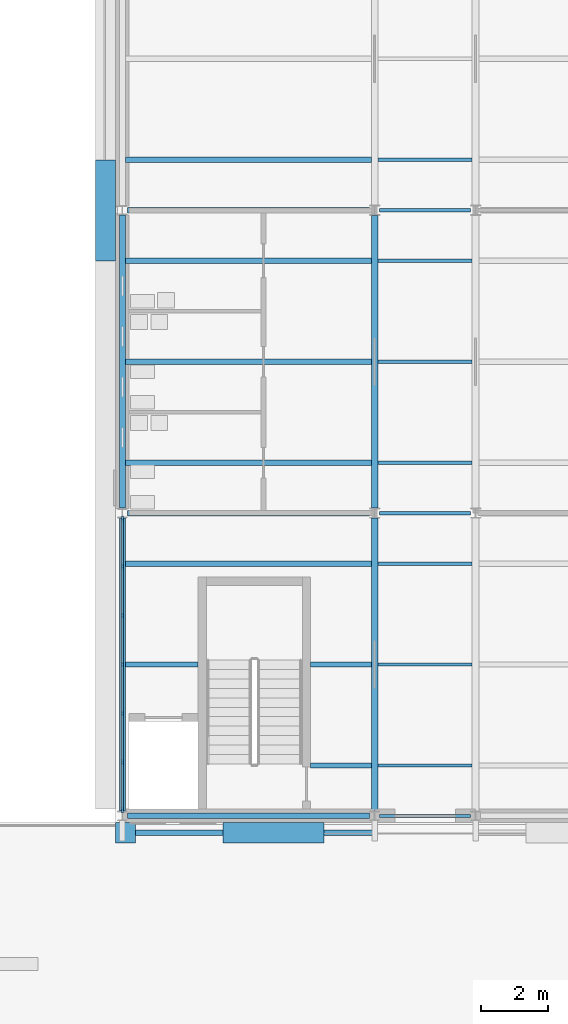
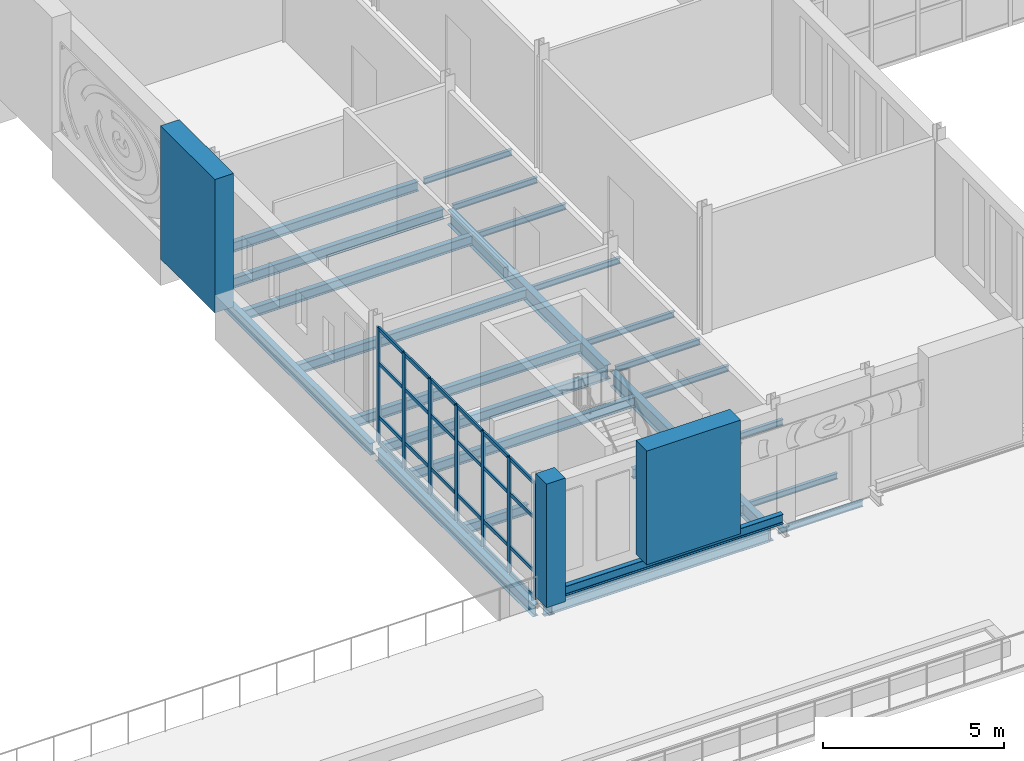
# One storey, part 22 of 134: 34 members, 26 beams, 1 element without a shape of its own.
"""IFC4 building model written with IfcOpenShell, lengths in metres."""

from ifc_helpers import new_model, si_unit, direction, frame, origin, origin_2d, place, context, subcontext, project, spatial, rectangle, i_section, extrude, material, layer, layer_set, material_profile, profile_set, type_object, element, aggregate, save


model = new_model("IFC4")

# Units and contexts
model_context = context("Model", 3, precision=1e-05, world=origin(), true_north=direction((0.0, 1.0)))
body_context = subcontext(model_context, "Body", "Model", "MODEL_VIEW")
ifc_project = project(units=[si_unit("LENGTHUNIT", "METRE"), si_unit("AREAUNIT", "SQUARE_METRE"), si_unit("VOLUMEUNIT", "CUBIC_METRE"), si_unit("PLANEANGLEUNIT", "RADIAN"), si_unit("MASSUNIT", "GRAM", prefix="KILO")], contexts=[model_context])

# Site, building, storey
site_placement = place(None, origin())
site = spatial("IfcSite", under=ifc_project, at=site_placement, CompositionType="ELEMENT")
building_placement = place(site_placement, origin())
building = spatial("IfcBuilding", under=site, at=building_placement, Name="Golden Quay Civic Hall", CompositionType="ELEMENT")
storey_placement = place(building_placement, frame((0.0, 0.0, 5.39990234375)))
storey = spatial("IfcBuildingStorey", under=building, at=storey_placement, Name="L01", CompositionType="ELEMENT", Elevation=5.39990234375)

# Curtain wall, members
ifc_material_1 = material(Name="Glass, laminated double glazed", Category="glass")
ifc_layer = layer(ifc_material_1, 0.199951171875)
ifc_layer_set = layer_set([ifc_layer], Name="Glazed core strip curtain wall")
curtain_wall_type = type_object("IfcCurtainWallType", Name="Glazed core strip curtain wall", PredefinedType="NOTDEFINED", material=ifc_layer_set)
curtain_wall_placement = place(storey_placement, origin())
curtain_wall = element("IfcCurtainWall", 1, at=curtain_wall_placement, inside=storey, type_object=curtain_wall_type, Name="Glazed core strip curtain wall L01 3", PredefinedType="NOTDEFINED")
ifc_material_2 = material(Name="Aluminium, anodised", Category="aluminium")
ifc_material_profile_1 = material_profile(ifc_material_2, rectangle(XDim=0.06005859375, YDim=0.159912109375, at=origin_2d()), Name="Aluminium 60 x 160")
ifc_profile_set_1 = profile_set([ifc_material_profile_1], Name="Aluminium, anodised")
member_type_1 = type_object("IfcMemberType", Name="Aluminium mullion 60 x 160", PredefinedType="MULLION", material=ifc_profile_set_1)
member_1_placement = place(storey_placement, frame((54.0, 0.1650390625, 0.0), z_axis=(0.0, 0.0, 1.0), x_axis=(-1.0, 0.0, 0.0)))
member_1 = element("IfcMember", 2, at=member_1_placement, type_object=member_type_1, Name="CW2 mullion 1", PredefinedType="MULLION", context=body_context, shape_type="SweptSolid", body=[
    extrude(rectangle(XDim=0.06005859375, YDim=0.159912109375, at=origin_2d()), origin(), (0.0, 0.0, 1.0), 3.900146484375),
])
member_2_placement = place(storey_placement, frame((54.0, 1.590087890625, 0.0), z_axis=(0.0, 0.0, 1.0), x_axis=(-1.0, 0.0, 0.0)))
member_2 = element("IfcMember", 3, at=member_2_placement, type_object=member_type_1, Name="CW2 mullion 2", PredefinedType="MULLION", context=body_context, shape_type="SweptSolid", body=[
    extrude(rectangle(XDim=0.06005859375, YDim=0.159912109375, at=origin_2d()), origin(), (0.0, 0.0, 1.0), 3.900146484375),
])
member_3_placement = place(storey_placement, frame((54.0, 3.044921875, 0.0), z_axis=(0.0, 0.0, 1.0), x_axis=(-1.0, 0.0, 0.0)))
member_3 = element("IfcMember", 4, at=member_3_placement, type_object=member_type_1, Name="CW2 mullion 3", PredefinedType="MULLION", context=body_context, shape_type="SweptSolid", body=[
    extrude(rectangle(XDim=0.06005859375, YDim=0.159912109375, at=origin_2d()), origin(), (0.0, 0.0, 1.0), 3.900146484375),
])
member_4_placement = place(storey_placement, frame((54.0, 4.5, 0.0), z_axis=(0.0, 0.0, 1.0), x_axis=(-1.0, 0.0, 0.0)))
member_4 = element("IfcMember", 5, at=member_4_placement, type_object=member_type_1, Name="CW2 mullion 4", PredefinedType="MULLION", context=body_context, shape_type="SweptSolid", body=[
    extrude(rectangle(XDim=0.06005859375, YDim=0.159912109375, at=origin_2d()), origin(), (0.0, 0.0, 1.0), 3.900146484375),
])
member_5_placement = place(storey_placement, frame((54.0, 5.955078125, 0.0), z_axis=(0.0, 0.0, 1.0), x_axis=(-1.0, 0.0, 0.0)))
member_5 = element("IfcMember", 6, at=member_5_placement, type_object=member_type_1, Name="CW2 mullion 5", PredefinedType="MULLION", context=body_context, shape_type="SweptSolid", body=[
    extrude(rectangle(XDim=0.06005859375, YDim=0.159912109375, at=origin_2d()), origin(), (0.0, 0.0, 1.0), 3.900146484375),
])
member_6_placement = place(storey_placement, frame((54.0, 7.409912109375, 0.0), z_axis=(0.0, 0.0, 1.0), x_axis=(-1.0, 0.0, 0.0)))
member_6 = element("IfcMember", 7, at=member_6_placement, type_object=member_type_1, Name="CW2 mullion 6", PredefinedType="MULLION", context=body_context, shape_type="SweptSolid", body=[
    extrude(rectangle(XDim=0.06005859375, YDim=0.159912109375, at=origin_2d()), origin(), (0.0, 0.0, 1.0), 3.900146484375),
])
member_7_placement = place(storey_placement, frame((54.0, 8.8349609375, 0.0), z_axis=(0.0, 0.0, 1.0), x_axis=(-1.0, 0.0, 0.0)))
member_7 = element("IfcMember", 8, at=member_7_placement, type_object=member_type_1, Name="CW2 mullion 7", PredefinedType="MULLION", context=body_context, shape_type="SweptSolid", body=[
    extrude(rectangle(XDim=0.06005859375, YDim=0.159912109375, at=origin_2d()), origin(), (0.0, 0.0, 1.0), 3.900146484375),
])
ifc_material_3 = material(Name="Aluminium, anodised", Category="aluminium")
ifc_material_profile_2 = material_profile(ifc_material_3, rectangle(XDim=0.06005859375, YDim=0.1201171875, at=origin_2d()), Name="Aluminium 60 x 120")
ifc_profile_set_2 = profile_set([ifc_material_profile_2], Name="Aluminium, anodised")
member_type_2 = type_object("IfcMemberType", Name="Aluminium transom 60 x 120", PredefinedType="USERDEFINED", material=ifc_profile_set_2)
member_8_placement = place(storey_placement, frame((54.0, 0.195068359375, 0.030029296875), z_axis=(0.0, 1.0, 0.0), x_axis=(-1.0, 0.0, 0.0)))
member_8 = element("IfcMember", 9, at=member_8_placement, type_object=member_type_2, Name="CW2 transom 1.1", ObjectType="TRANSOM", PredefinedType="USERDEFINED", context=body_context, shape_type="SweptSolid", body=[
    extrude(rectangle(XDim=0.06005859375, YDim=0.1201171875, at=origin_2d()), origin(), (0.0, 0.0, 1.0), 1.364990234375),
])
member_9_placement = place(storey_placement, frame((54.0, 0.195068359375, 0.900146484375), z_axis=(0.0, 1.0, 0.0), x_axis=(-1.0, 0.0, 0.0)))
member_9 = element("IfcMember", 10, at=member_9_placement, type_object=member_type_2, Name="CW2 transom 1.2", ObjectType="TRANSOM", PredefinedType="USERDEFINED", context=body_context, shape_type="SweptSolid", body=[
    extrude(rectangle(XDim=0.06005859375, YDim=0.1201171875, at=origin_2d()), origin(), (0.0, 0.0, 1.0), 1.364990234375),
])
member_10_placement = place(storey_placement, frame((54.0, 0.195068359375, 2.7001953125), z_axis=(0.0, 1.0, 0.0), x_axis=(-1.0, 0.0, 0.0)))
member_10 = element("IfcMember", 11, at=member_10_placement, type_object=member_type_2, Name="CW2 transom 1.3", ObjectType="TRANSOM", PredefinedType="USERDEFINED", context=body_context, shape_type="SweptSolid", body=[
    extrude(rectangle(XDim=0.06005859375, YDim=0.1201171875, at=origin_2d()), origin(), (0.0, 0.0, 1.0), 1.364990234375),
])
member_11_placement = place(storey_placement, frame((54.0, 0.195068359375, 3.8701171875), z_axis=(0.0, 1.0, 0.0), x_axis=(-1.0, 0.0, 0.0)))
member_11 = element("IfcMember", 12, at=member_11_placement, type_object=member_type_2, Name="CW2 transom 1.4", ObjectType="TRANSOM", PredefinedType="USERDEFINED", context=body_context, shape_type="SweptSolid", body=[
    extrude(rectangle(XDim=0.06005859375, YDim=0.1201171875, at=origin_2d()), origin(), (0.0, 0.0, 1.0), 1.364990234375),
])
member_12_placement = place(storey_placement, frame((54.0, 1.6201171875, 0.030029296875), z_axis=(0.0, 1.0, 0.0), x_axis=(-1.0, 0.0, 0.0)))
member_12 = element("IfcMember", 13, at=member_12_placement, type_object=member_type_2, Name="CW2 transom 2.1", ObjectType="TRANSOM", PredefinedType="USERDEFINED", context=body_context, shape_type="SweptSolid", body=[
    extrude(rectangle(XDim=0.06005859375, YDim=0.1201171875, at=origin_2d()), origin(), (0.0, 0.0, 1.0), 1.394775390625),
])
member_13_placement = place(storey_placement, frame((54.0, 1.6201171875, 0.900146484375), z_axis=(0.0, 1.0, 0.0), x_axis=(-1.0, 0.0, 0.0)))
member_13 = element("IfcMember", 14, at=member_13_placement, type_object=member_type_2, Name="CW2 transom 2.2", ObjectType="TRANSOM", PredefinedType="USERDEFINED", context=body_context, shape_type="SweptSolid", body=[
    extrude(rectangle(XDim=0.06005859375, YDim=0.1201171875, at=origin_2d()), origin(), (0.0, 0.0, 1.0), 1.394775390625),
])
member_14_placement = place(storey_placement, frame((54.0, 1.6201171875, 2.7001953125), z_axis=(0.0, 1.0, 0.0), x_axis=(-1.0, 0.0, 0.0)))
member_14 = element("IfcMember", 15, at=member_14_placement, type_object=member_type_2, Name="CW2 transom 2.3", ObjectType="TRANSOM", PredefinedType="USERDEFINED", context=body_context, shape_type="SweptSolid", body=[
    extrude(rectangle(XDim=0.06005859375, YDim=0.1201171875, at=origin_2d()), origin(), (0.0, 0.0, 1.0), 1.394775390625),
])
member_15_placement = place(storey_placement, frame((54.0, 1.6201171875, 3.8701171875), z_axis=(0.0, 1.0, 0.0), x_axis=(-1.0, 0.0, 0.0)))
member_15 = element("IfcMember", 16, at=member_15_placement, type_object=member_type_2, Name="CW2 transom 2.4", ObjectType="TRANSOM", PredefinedType="USERDEFINED", context=body_context, shape_type="SweptSolid", body=[
    extrude(rectangle(XDim=0.06005859375, YDim=0.1201171875, at=origin_2d()), origin(), (0.0, 0.0, 1.0), 1.394775390625),
])
member_16_placement = place(storey_placement, frame((54.0, 3.074951171875, 0.030029296875), z_axis=(0.0, 1.0, 0.0), x_axis=(-1.0, 0.0, 0.0)))
member_16 = element("IfcMember", 17, at=member_16_placement, type_object=member_type_2, Name="CW2 transom 3.1", ObjectType="TRANSOM", PredefinedType="USERDEFINED", context=body_context, shape_type="SweptSolid", body=[
    extrude(rectangle(XDim=0.06005859375, YDim=0.1201171875, at=origin_2d()), origin(), (0.0, 0.0, 1.0), 1.39501953125),
])
member_17_placement = place(storey_placement, frame((54.0, 3.074951171875, 0.900146484375), z_axis=(0.0, 1.0, 0.0), x_axis=(-1.0, 0.0, 0.0)))
member_17 = element("IfcMember", 18, at=member_17_placement, type_object=member_type_2, Name="CW2 transom 3.2", ObjectType="TRANSOM", PredefinedType="USERDEFINED", context=body_context, shape_type="SweptSolid", body=[
    extrude(rectangle(XDim=0.06005859375, YDim=0.1201171875, at=origin_2d()), origin(), (0.0, 0.0, 1.0), 1.39501953125),
])
member_18_placement = place(storey_placement, frame((54.0, 3.074951171875, 2.7001953125), z_axis=(0.0, 1.0, 0.0), x_axis=(-1.0, 0.0, 0.0)))
member_18 = element("IfcMember", 19, at=member_18_placement, type_object=member_type_2, Name="CW2 transom 3.3", ObjectType="TRANSOM", PredefinedType="USERDEFINED", context=body_context, shape_type="SweptSolid", body=[
    extrude(rectangle(XDim=0.06005859375, YDim=0.1201171875, at=origin_2d()), origin(), (0.0, 0.0, 1.0), 1.39501953125),
])
member_19_placement = place(storey_placement, frame((54.0, 3.074951171875, 3.8701171875), z_axis=(0.0, 1.0, 0.0), x_axis=(-1.0, 0.0, 0.0)))
member_19 = element("IfcMember", 20, at=member_19_placement, type_object=member_type_2, Name="CW2 transom 3.4", ObjectType="TRANSOM", PredefinedType="USERDEFINED", context=body_context, shape_type="SweptSolid", body=[
    extrude(rectangle(XDim=0.06005859375, YDim=0.1201171875, at=origin_2d()), origin(), (0.0, 0.0, 1.0), 1.39501953125),
])
member_20_placement = place(storey_placement, frame((54.0, 4.530029296875, 0.030029296875), z_axis=(0.0, 1.0, 0.0), x_axis=(-1.0, 0.0, 0.0)))
member_20 = element("IfcMember", 21, at=member_20_placement, type_object=member_type_2, Name="CW2 transom 4.1", ObjectType="TRANSOM", PredefinedType="USERDEFINED", context=body_context, shape_type="SweptSolid", body=[
    extrude(rectangle(XDim=0.06005859375, YDim=0.1201171875, at=origin_2d()), origin(), (0.0, 0.0, 1.0), 1.39501953125),
])
member_21_placement = place(storey_placement, frame((54.0, 4.530029296875, 0.900146484375), z_axis=(0.0, 1.0, 0.0), x_axis=(-1.0, 0.0, 0.0)))
member_21 = element("IfcMember", 22, at=member_21_placement, type_object=member_type_2, Name="CW2 transom 4.2", ObjectType="TRANSOM", PredefinedType="USERDEFINED", context=body_context, shape_type="SweptSolid", body=[
    extrude(rectangle(XDim=0.06005859375, YDim=0.1201171875, at=origin_2d()), origin(), (0.0, 0.0, 1.0), 1.39501953125),
])
member_22_placement = place(storey_placement, frame((54.0, 4.530029296875, 2.7001953125), z_axis=(0.0, 1.0, 0.0), x_axis=(-1.0, 0.0, 0.0)))
member_22 = element("IfcMember", 23, at=member_22_placement, type_object=member_type_2, Name="CW2 transom 4.3", ObjectType="TRANSOM", PredefinedType="USERDEFINED", context=body_context, shape_type="SweptSolid", body=[
    extrude(rectangle(XDim=0.06005859375, YDim=0.1201171875, at=origin_2d()), origin(), (0.0, 0.0, 1.0), 1.39501953125),
])
member_23_placement = place(storey_placement, frame((54.0, 4.530029296875, 3.8701171875), z_axis=(0.0, 1.0, 0.0), x_axis=(-1.0, 0.0, 0.0)))
member_23 = element("IfcMember", 24, at=member_23_placement, type_object=member_type_2, Name="CW2 transom 4.4", ObjectType="TRANSOM", PredefinedType="USERDEFINED", context=body_context, shape_type="SweptSolid", body=[
    extrude(rectangle(XDim=0.06005859375, YDim=0.1201171875, at=origin_2d()), origin(), (0.0, 0.0, 1.0), 1.39501953125),
])
member_24_placement = place(storey_placement, frame((54.0, 5.985107421875, 0.030029296875), z_axis=(0.0, 1.0, 0.0), x_axis=(-1.0, 0.0, 0.0)))
member_24 = element("IfcMember", 25, at=member_24_placement, type_object=member_type_2, Name="CW2 transom 5.1", ObjectType="TRANSOM", PredefinedType="USERDEFINED", context=body_context, shape_type="SweptSolid", body=[
    extrude(rectangle(XDim=0.06005859375, YDim=0.1201171875, at=origin_2d()), origin(), (0.0, 0.0, 1.0), 1.394775390625),
])
member_25_placement = place(storey_placement, frame((54.0, 5.985107421875, 0.900146484375), z_axis=(0.0, 1.0, 0.0), x_axis=(-1.0, 0.0, 0.0)))
member_25 = element("IfcMember", 26, at=member_25_placement, type_object=member_type_2, Name="CW2 transom 5.2", ObjectType="TRANSOM", PredefinedType="USERDEFINED", context=body_context, shape_type="SweptSolid", body=[
    extrude(rectangle(XDim=0.06005859375, YDim=0.1201171875, at=origin_2d()), origin(), (0.0, 0.0, 1.0), 1.394775390625),
])
member_26_placement = place(storey_placement, frame((54.0, 5.985107421875, 2.7001953125), z_axis=(0.0, 1.0, 0.0), x_axis=(-1.0, 0.0, 0.0)))
member_26 = element("IfcMember", 27, at=member_26_placement, type_object=member_type_2, Name="CW2 transom 5.3", ObjectType="TRANSOM", PredefinedType="USERDEFINED", context=body_context, shape_type="SweptSolid", body=[
    extrude(rectangle(XDim=0.06005859375, YDim=0.1201171875, at=origin_2d()), origin(), (0.0, 0.0, 1.0), 1.394775390625),
])
member_27_placement = place(storey_placement, frame((54.0, 5.985107421875, 3.8701171875), z_axis=(0.0, 1.0, 0.0), x_axis=(-1.0, 0.0, 0.0)))
member_27 = element("IfcMember", 28, at=member_27_placement, type_object=member_type_2, Name="CW2 transom 5.4", ObjectType="TRANSOM", PredefinedType="USERDEFINED", context=body_context, shape_type="SweptSolid", body=[
    extrude(rectangle(XDim=0.06005859375, YDim=0.1201171875, at=origin_2d()), origin(), (0.0, 0.0, 1.0), 1.394775390625),
])
member_28_placement = place(storey_placement, frame((54.0, 7.43994140625, 0.030029296875), z_axis=(0.0, 1.0, 0.0), x_axis=(-1.0, 0.0, 0.0)))
member_28 = element("IfcMember", 29, at=member_28_placement, type_object=member_type_2, Name="CW2 transom 6.1", ObjectType="TRANSOM", PredefinedType="USERDEFINED", context=body_context, shape_type="SweptSolid", body=[
    extrude(rectangle(XDim=0.06005859375, YDim=0.1201171875, at=origin_2d()), origin(), (0.0, 0.0, 1.0), 1.364990234375),
])
member_29_placement = place(storey_placement, frame((54.0, 7.43994140625, 0.900146484375), z_axis=(0.0, 1.0, 0.0), x_axis=(-1.0, 0.0, 0.0)))
member_29 = element("IfcMember", 30, at=member_29_placement, type_object=member_type_2, Name="CW2 transom 6.2", ObjectType="TRANSOM", PredefinedType="USERDEFINED", context=body_context, shape_type="SweptSolid", body=[
    extrude(rectangle(XDim=0.06005859375, YDim=0.1201171875, at=origin_2d()), origin(), (0.0, 0.0, 1.0), 1.364990234375),
])
member_30_placement = place(storey_placement, frame((54.0, 7.43994140625, 2.7001953125), z_axis=(0.0, 1.0, 0.0), x_axis=(-1.0, 0.0, 0.0)))
member_30 = element("IfcMember", 31, at=member_30_placement, type_object=member_type_2, Name="CW2 transom 6.3", ObjectType="TRANSOM", PredefinedType="USERDEFINED", context=body_context, shape_type="SweptSolid", body=[
    extrude(rectangle(XDim=0.06005859375, YDim=0.1201171875, at=origin_2d()), origin(), (0.0, 0.0, 1.0), 1.364990234375),
])
member_31_placement = place(storey_placement, frame((54.0, 7.43994140625, 3.8701171875), z_axis=(0.0, 1.0, 0.0), x_axis=(-1.0, 0.0, 0.0)))
member_31 = element("IfcMember", 32, at=member_31_placement, type_object=member_type_2, Name="CW2 transom 6.4", ObjectType="TRANSOM", PredefinedType="USERDEFINED", context=body_context, shape_type="SweptSolid", body=[
    extrude(rectangle(XDim=0.06005859375, YDim=0.1201171875, at=origin_2d()), origin(), (0.0, 0.0, 1.0), 1.364990234375),
])
aggregate(curtain_wall, [member_1, member_2, member_3, member_4, member_5, member_6, member_7, member_8, member_9, member_10, member_11, member_12, member_13, member_14, member_15, member_16, member_17, member_18, member_19, member_20, member_21, member_22, member_23, member_24, member_25, member_26, member_27, member_28, member_29, member_30, member_31])

# Members
ifc_material_4 = material(Name="Concrete C40/50", Category="concrete")
ifc_material_profile_3 = material_profile(ifc_material_4, rectangle(XDim=3.0, YDim=0.60009765625, at=origin_2d()), Name="RC 3000x600")
ifc_profile_set_3 = profile_set([ifc_material_profile_3], Name="Concrete C40/50")
member_type_3 = type_object("IfcMemberType", Name="Precast concrete facade pier 3000 x 600", PredefinedType="POST", material=ifc_profile_set_3)
member_32_placement = place(storey_placement, frame((53.5, 18.0, 0.0), z_axis=(0.0, 0.0, 1.0), x_axis=(0.0, 1.0, 0.0)))
element("IfcMember", 33, at=member_32_placement, inside=storey, type_object=member_type_3, Name="Precast concrete facade pier 3000 x 600 L01 18", PredefinedType="POST", context=body_context, shape_type="SweptSolid", body=[
    extrude(rectangle(XDim=3.0, YDim=0.60009765625, at=origin_2d()), origin(), (0.0, 0.0, 1.0), 4.5),
])
member_33_placement = place(storey_placement, frame((58.5, -0.5, 0.66015625), z_axis=(0.0, 0.0, 1.0), x_axis=(1.0, 0.0, 0.0)))
element("IfcMember", 34, at=member_33_placement, inside=storey, type_object=member_type_3, Name="Precast concrete facade pier 3000 x 600 L01 24", PredefinedType="POST", context=body_context, shape_type="SweptSolid", body=[
    extrude(rectangle(XDim=3.0, YDim=0.60009765625, at=origin_2d()), origin(), (0.0, 0.0, 1.0), 3.83984375),
])
ifc_material_5 = material(Name="Concrete C40/50", Category="concrete")
ifc_material_profile_4 = material_profile(ifc_material_5, rectangle(XDim=0.60009765625, YDim=0.60009765625, at=origin_2d()), Name="RC 600x600")
ifc_profile_set_4 = profile_set([ifc_material_profile_4], Name="Concrete C40/50")
member_type_4 = type_object("IfcMemberType", Name="Precast concrete facade post 600 x 600", PredefinedType="POST", material=ifc_profile_set_4)
member_34_placement = place(storey_placement, frame((54.10009765625, -0.5, 0.330078125), z_axis=(0.0, 0.0, 1.0), x_axis=(1.0, 0.0, 0.0)))
element("IfcMember", 35, at=member_34_placement, inside=storey, type_object=member_type_4, Name="Precast concrete facade post 600 x 600 L01 9", PredefinedType="POST", context=body_context, shape_type="SweptSolid", body=[
    extrude(rectangle(XDim=0.60009765625, YDim=0.60009765625, at=origin_2d()), origin(), (0.0, 0.0, 1.0), 4.169921875),
])

# Beams
ifc_material_6 = material(Name="Steel S355", Category="steel")
ifc_material_profile_5 = material_profile(ifc_material_6, i_section(OverallWidth=0.10009765625, OverallDepth=0.199951171875, WebThickness=0.005615234375, FlangeThickness=0.008544921875, FilletRadius=0.011962890625, at=origin_2d()), Name="IPE 200")
ifc_profile_set_5 = profile_set([ifc_material_profile_5], Name="Steel S355")
beam_type_1 = type_object("IfcBeamType", Name="Steel beam IPE 200", PredefinedType="BEAM", material=ifc_profile_set_5)
for number, where, z_axis, x_axis, name in (
    (36, (61.64990234375, 0.0, -0.2998046875), (1.0, 0.0, 0.0), (0.0, 1.0, 0.0), "Beam S0-61.5"),
    (37, (61.64990234375, 9.0, -0.2998046875), (1.0, 0.0, 0.0), (0.0, 1.0, 0.0), "Beam S9-61.5"),
    (38, (61.64990234375, 18.0, -0.2998046875), (1.0, 0.0, 0.0), (0.0, 1.0, 0.0), "Beam S18-61.5"),
):
    element("IfcBeam", number, at=place(storey_placement, frame(where, z_axis=z_axis, x_axis=x_axis)), inside=storey, type_object=beam_type_1, Name=name, PredefinedType="BEAM", context=body_context, shape_type="SweptSolid", body=[
        extrude(i_section(OverallWidth=0.10009765625, OverallDepth=0.199951171875, WebThickness=0.005615234375, FlangeThickness=0.008544921875, FilletRadius=0.011962890625, at=origin_2d()), origin(), (0.0, 0.0, 1.0), 2.7001953125),
    ])
ifc_material_7 = material(Name="Steel S355", Category="steel")
ifc_material_profile_6 = material_profile(ifc_material_7, i_section(OverallWidth=0.159912109375, OverallDepth=0.330078125, WebThickness=0.007568359375, FlangeThickness=0.011474609375, FilletRadius=0.01806640625, at=origin_2d()), Name="IPE 330")
ifc_profile_set_6 = profile_set([ifc_material_profile_6], Name="Steel S355")
beam_type_2 = type_object("IfcBeamType", Name="Steel beam IPE 330", PredefinedType="BEAM", material=ifc_profile_set_6)
for number, where, z_axis, x_axis, name in (
    (39, (54.14990234375, 0.0, -0.364990234375), (1.0, 0.0, 0.0), (0.0, 1.0, 0.0), "Beam S0-54"),
    (40, (54.14990234375, 9.0, -0.364990234375), (1.0, 0.0, 0.0), (0.0, 1.0, 0.0), "Beam S9-54"),
    (41, (54.14990234375, 18.0, -0.364990234375), (1.0, 0.0, 0.0), (0.0, 1.0, 0.0), "Beam S18-54"),
):
    element("IfcBeam", number, at=place(storey_placement, frame(where, z_axis=z_axis, x_axis=x_axis)), inside=storey, type_object=beam_type_2, Name=name, PredefinedType="BEAM", context=body_context, shape_type="SweptSolid", body=[
        extrude(i_section(OverallWidth=0.159912109375, OverallDepth=0.330078125, WebThickness=0.007568359375, FlangeThickness=0.011474609375, FilletRadius=0.01806640625, at=origin_2d()), origin(), (0.0, 0.0, 1.0), 7.2001953125),
    ])
ifc_material_8 = material(Name="Steel S355", Category="steel")
ifc_material_profile_7 = material_profile(ifc_material_8, i_section(OverallWidth=0.179931640625, OverallDepth=0.39990234375, WebThickness=0.008544921875, FlangeThickness=0.013427734375, FilletRadius=0.02099609375, at=origin_2d()), Name="IPE 400")
ifc_profile_set_7 = profile_set([ifc_material_profile_7], Name="Steel S355")
beam_type_3 = type_object("IfcBeamType", Name="Steel beam IPE 400", PredefinedType="BEAM", material=ifc_profile_set_7)
for number, where, z_axis, x_axis, name in (
    (42, (54.0, 0.14501953125, -0.39990234375), (0.0, 1.0, 0.0), (-1.0, 0.0, 0.0), "Beam L54-0"),
    (43, (54.0, 9.14501953125, -0.39990234375), (0.0, 1.0, 0.0), (-1.0, 0.0, 0.0), "Beam L54-9"),
):
    element("IfcBeam", number, at=place(storey_placement, frame(where, z_axis=z_axis, x_axis=x_axis)), inside=storey, type_object=beam_type_3, Name=name, PredefinedType="BEAM", context=body_context, shape_type="SweptSolid", body=[
        extrude(i_section(OverallWidth=0.179931640625, OverallDepth=0.39990234375, WebThickness=0.008544921875, FlangeThickness=0.013427734375, FilletRadius=0.02099609375, at=origin_2d()), origin(), (0.0, 0.0, 1.0), 8.7099609375),
    ])
ifc_material_9 = material(Name="Steel S355", Category="steel")
ifc_material_profile_8 = material_profile(ifc_material_9, i_section(OverallWidth=0.199951171875, OverallDepth=0.5, WebThickness=0.01025390625, FlangeThickness=0.01611328125, FilletRadius=0.02099609375, at=origin_2d()), Name="IPE 500")
ifc_profile_set_8 = profile_set([ifc_material_profile_8], Name="Steel S355")
beam_type_4 = type_object("IfcBeamType", Name="Steel beam IPE 500", PredefinedType="BEAM", material=ifc_profile_set_8)
beam_1_placement = place(storey_placement, frame((61.5, 0.14501953125, -0.449951171875), z_axis=(0.0, 1.0, 0.0), x_axis=(-1.0, 0.0, 0.0)))
element("IfcBeam", 44, at=beam_1_placement, inside=storey, type_object=beam_type_4, Name="Beam L61.5-0", PredefinedType="BEAM", context=body_context, shape_type="SweptSolid", body=[
    extrude(i_section(OverallWidth=0.199951171875, OverallDepth=0.5, WebThickness=0.01025390625, FlangeThickness=0.01611328125, FilletRadius=0.02099609375, at=origin_2d()), origin(), (0.0, 0.0, 1.0), 8.705078125),
])
beam_2_placement = place(storey_placement, frame((61.5, 9.14990234375, -0.449951171875), z_axis=(0.0, 1.0, 0.0), x_axis=(-1.0, 0.0, 0.0)))
element("IfcBeam", 45, at=beam_2_placement, inside=storey, type_object=beam_type_4, Name="Beam L61.5-9", PredefinedType="BEAM", context=body_context, shape_type="SweptSolid", body=[
    extrude(i_section(OverallWidth=0.199951171875, OverallDepth=0.5, WebThickness=0.01025390625, FlangeThickness=0.01611328125, FilletRadius=0.02099609375, at=origin_2d()), origin(), (0.0, 0.0, 1.0), 8.7001953125),
])
ifc_material_10 = material(Name="Steel S355", Category="steel")
ifc_material_profile_9 = material_profile(ifc_material_10, i_section(OverallWidth=0.10009765625, OverallDepth=0.199951171875, WebThickness=0.005615234375, FlangeThickness=0.008544921875, FilletRadius=0.011962890625, at=origin_2d()), Name="IPE 200")
ifc_profile_set_9 = profile_set([ifc_material_profile_9], Name="Steel S355")
beam_type_5 = type_object("IfcBeamType", Name="Steel joist IPE 200", PredefinedType="JOIST", material=ifc_profile_set_9)
for number, where, z_axis, x_axis, name in (
    (46, (61.60009765625, 1.5, -0.2998046875), (1.0, 0.0, 0.0), (0.0, 1.0, 0.0), "Joist J1.5-61.5"),
    (47, (61.60009765625, 4.5, -0.2998046875), (1.0, 0.0, 0.0), (0.0, 1.0, 0.0), "Joist J4.5-61.5"),
    (48, (61.60009765625, 7.5, -0.2998046875), (1.0, 0.0, 0.0), (0.0, 1.0, 0.0), "Joist J7.5-61.5"),
    (49, (61.60009765625, 10.5, -0.2998046875), (1.0, 0.0, 0.0), (0.0, 1.0, 0.0), "Joist J10.5-61.5"),
    (50, (61.60009765625, 13.5, -0.2998046875), (1.0, 0.0, 0.0), (0.0, 1.0, 0.0), "Joist J13.5-61.5"),
    (51, (61.60009765625, 16.5, -0.2998046875), (1.0, 0.0, 0.0), (0.0, 1.0, 0.0), "Joist J16.5-61.5"),
    (52, (61.60009765625, 19.5, -0.2998046875), (1.0, 0.0, 0.0), (0.0, 1.0, 0.0), "Joist J19.5-61.5"),
):
    element("IfcBeam", number, at=place(storey_placement, frame(where, z_axis=z_axis, x_axis=x_axis)), inside=storey, type_object=beam_type_5, Name=name, PredefinedType="JOIST", context=body_context, shape_type="SweptSolid", body=[
        extrude(i_section(OverallWidth=0.10009765625, OverallDepth=0.199951171875, WebThickness=0.005615234375, FlangeThickness=0.008544921875, FilletRadius=0.011962890625, at=origin_2d()), origin(), (0.0, 0.0, 1.0), 2.7998046875),
    ])
ifc_material_11 = material(Name="Steel S355", Category="steel")
ifc_material_profile_10 = material_profile(ifc_material_11, i_section(OverallWidth=0.159912109375, OverallDepth=0.330078125, WebThickness=0.007568359375, FlangeThickness=0.011474609375, FilletRadius=0.01806640625, at=origin_2d()), Name="IPE 330")
ifc_profile_set_10 = profile_set([ifc_material_profile_10], Name="Steel S355")
beam_type_6 = type_object("IfcBeamType", Name="Steel joist IPE 330", PredefinedType="JOIST", material=ifc_profile_set_10)
beam_3_placement = place(storey_placement, frame((59.60009765625, 1.5, -0.364990234375), z_axis=(1.0, 0.0, 0.0), x_axis=(0.0, 1.0, 0.0)))
element("IfcBeam", 53, at=beam_3_placement, inside=storey, type_object=beam_type_6, Name="Joist J1.5-54-1", PredefinedType="JOIST", context=body_context, shape_type="SweptSolid", body=[
    extrude(i_section(OverallWidth=0.159912109375, OverallDepth=0.330078125, WebThickness=0.007568359375, FlangeThickness=0.011474609375, FilletRadius=0.01806640625, at=origin_2d()), origin(), (0.0, 0.0, 1.0), 1.7998046875),
])
beam_4_placement = place(storey_placement, frame((54.090087890625, 4.5, -0.364990234375), z_axis=(1.0, 0.0, 0.0), x_axis=(0.0, 1.0, 0.0)))
element("IfcBeam", 54, at=beam_4_placement, inside=storey, type_object=beam_type_6, Name="Joist J4.5-54-0", PredefinedType="JOIST", context=body_context, shape_type="SweptSolid", body=[
    extrude(i_section(OverallWidth=0.159912109375, OverallDepth=0.330078125, WebThickness=0.007568359375, FlangeThickness=0.011474609375, FilletRadius=0.01806640625, at=origin_2d()), origin(), (0.0, 0.0, 1.0), 2.159912109375),
])
beam_5_placement = place(storey_placement, frame((59.60009765625, 4.5, -0.364990234375), z_axis=(1.0, 0.0, 0.0), x_axis=(0.0, 1.0, 0.0)))
element("IfcBeam", 55, at=beam_5_placement, inside=storey, type_object=beam_type_6, Name="Joist J4.5-54-1", PredefinedType="JOIST", context=body_context, shape_type="SweptSolid", body=[
    extrude(i_section(OverallWidth=0.159912109375, OverallDepth=0.330078125, WebThickness=0.007568359375, FlangeThickness=0.011474609375, FilletRadius=0.01806640625, at=origin_2d()), origin(), (0.0, 0.0, 1.0), 1.7998046875),
])
for number, where, z_axis, x_axis, name in (
    (56, (54.090087890625, 7.5, -0.364990234375), (1.0, 0.0, 0.0), (0.0, 1.0, 0.0), "Joist J7.5-54"),
    (57, (54.090087890625, 10.5, -0.364990234375), (1.0, 0.0, 0.0), (0.0, 1.0, 0.0), "Joist J10.5-54"),
    (58, (54.090087890625, 13.5, -0.364990234375), (1.0, 0.0, 0.0), (0.0, 1.0, 0.0), "Joist J13.5-54"),
    (59, (54.090087890625, 16.5, -0.364990234375), (1.0, 0.0, 0.0), (0.0, 1.0, 0.0), "Joist J16.5-54"),
    (60, (54.090087890625, 19.5, -0.364990234375), (1.0, 0.0, 0.0), (0.0, 1.0, 0.0), "Joist J19.5-54"),
):
    element("IfcBeam", number, at=place(storey_placement, frame(where, z_axis=z_axis, x_axis=x_axis)), inside=storey, type_object=beam_type_6, Name=name, PredefinedType="JOIST", context=body_context, shape_type="SweptSolid", body=[
        extrude(i_section(OverallWidth=0.159912109375, OverallDepth=0.330078125, WebThickness=0.007568359375, FlangeThickness=0.011474609375, FilletRadius=0.01806640625, at=origin_2d()), origin(), (0.0, 0.0, 1.0), 7.309814453125),
    ])
ifc_material_12 = material(Name="Steel S355", Category="steel")
ifc_material_profile_11 = material_profile(ifc_material_12, i_section(OverallWidth=0.159912109375, OverallDepth=0.330078125, WebThickness=0.007568359375, FlangeThickness=0.011474609375, FilletRadius=0.01806640625, at=origin_2d()), Name="IPE 330")
ifc_profile_set_11 = profile_set([ifc_material_profile_11], Name="Steel S355")
beam_type_7 = type_object("IfcBeamType", Name="Steel pier plinth beam IPE 330", PredefinedType="BEAM", material=ifc_profile_set_11)
beam_6_placement = place(storey_placement, frame((54.300048828125, -0.5, 0.4951171875), z_axis=(1.0, 0.0, 0.0), x_axis=(0.0, 1.0, 0.0)))
element("IfcBeam", 61, at=beam_6_placement, inside=storey, type_object=beam_type_7, Name="Steel pier plinth beam IPE 330 L01 1", PredefinedType="BEAM", context=body_context, shape_type="SweptSolid", body=[
    extrude(i_section(OverallWidth=0.159912109375, OverallDepth=0.330078125, WebThickness=0.007568359375, FlangeThickness=0.011474609375, FilletRadius=0.01806640625, at=origin_2d()), origin(), (0.0, 0.0, 1.0), 7.199951171875),
])

save(model, "model.ifc")
